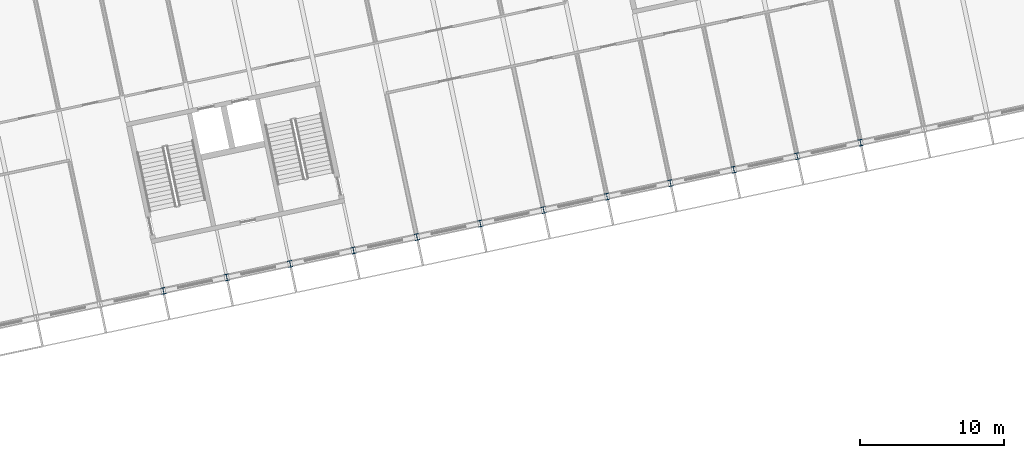
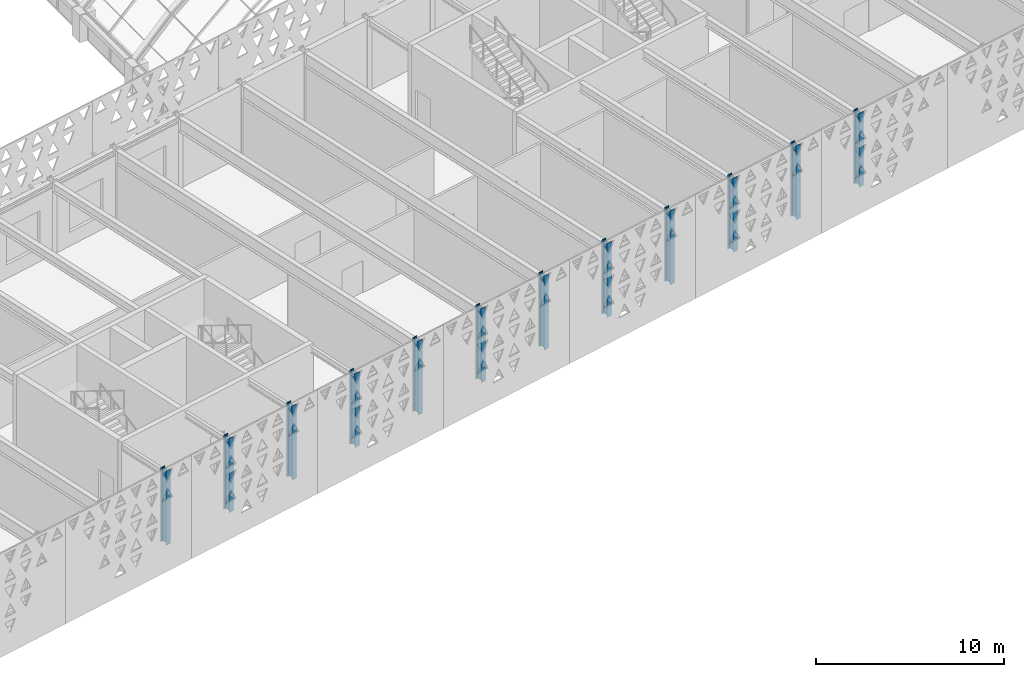
# One storey, part 12 of 182: 12 columns.
"""IFC4 building model written with IfcOpenShell, lengths in metres."""

from ifc_helpers import new_model, si_unit, direction, frame, origin, origin_2d, place, context, subcontext, project, spatial, i_section, extrude, material, material_profile, profile_set, type_object, element, save


model = new_model("IFC4")

# Units and contexts
model_context = context("Model", 3, precision=1e-05, world=origin(), true_north=direction((0.0, 1.0)))
body_context = subcontext(model_context, "Body", "Model", "MODEL_VIEW")
ifc_project = project(units=[si_unit("LENGTHUNIT", "METRE"), si_unit("AREAUNIT", "SQUARE_METRE"), si_unit("VOLUMEUNIT", "CUBIC_METRE"), si_unit("PLANEANGLEUNIT", "RADIAN"), si_unit("MASSUNIT", "GRAM", prefix="KILO")], contexts=[model_context])

# Site, building, storey
site_placement = place(None, origin())
site = spatial("IfcSite", under=ifc_project, at=site_placement, CompositionType="ELEMENT")
building_placement = place(site_placement, origin())
building = spatial("IfcBuilding", under=site, at=building_placement, Name="Okhra Congress Centre", CompositionType="ELEMENT")
storey_placement = place(building_placement, frame((0.0, 0.0, 7.199951171875)))
storey = spatial("IfcBuildingStorey", under=building, at=storey_placement, Name="L01", CompositionType="ELEMENT", Elevation=7.199951171875)

# Columns
ifc_material = material(Name="Steel S355J2", Category="steel")
ifc_material_profile = material_profile(ifc_material, i_section(OverallWidth=0.300048828125, OverallDepth=0.449951171875, WebThickness=0.013916015625, FlangeThickness=0.02587890625, FilletRadius=0.027099609375, at=origin_2d()), Name="HE 450 B")
ifc_profile_set = profile_set([ifc_material_profile], Name="Steel S355J2")
column_type = type_object("IfcColumnType", Name="Steel post HE 450 B", PredefinedType="COLUMN", material=ifc_profile_set)
for number, where, z_axis, x_axis, name in (
    (1, (135.83935546875, 42.714599609375, 0.0), (0.0, 0.0, 1.0), (0.978147600734, 0.207911690818, 0.0), "Post S18"),
    (2, (140.240966796875, 43.650146484375, 0.0), (0.0, 0.0, 1.0), (0.978147600734, 0.207911690818, 0.0), "Post S19"),
    (3, (144.642578125, 44.585693359375, 0.0), (0.0, 0.0, 1.0), (0.978147600734, 0.207911690818, 0.0), "Post S20"),
    (4, (149.044189453125, 45.521240234375, 0.0), (0.0, 0.0, 1.0), (0.978147600734, 0.207911690818, 0.0), "Post S21"),
    (5, (153.446044921875, 46.456787109375, 0.0), (0.0, 0.0, 1.0), (0.978147600734, 0.207911690818, 0.0), "Post S22"),
    (6, (157.84765625, 47.392578125, 0.0), (0.0, 0.0, 1.0), (0.978147600734, 0.207911690818, 0.0), "Post S23"),
    (7, (162.249267578125, 48.328125, 0.0), (0.0, 0.0, 1.0), (0.978147600734, 0.207911690818, 0.0), "Post S24"),
    (8, (166.65087890625, 49.263671875, 0.0), (0.0, 0.0, 1.0), (0.978147600734, 0.207911690818, 0.0), "Post S25"),
    (9, (171.052490234375, 50.19921875, 0.0), (0.0, 0.0, 1.0), (0.978147600734, 0.207911690818, 0.0), "Post S26"),
    (10, (175.454345703125, 51.135009765625, 0.0), (0.0, 0.0, 1.0), (0.978147600734, 0.207911690818, 0.0), "Post S27"),
    (11, (179.85595703125, 52.070556640625, 0.0), (0.0, 0.0, 1.0), (0.978147600734, 0.207911690818, 0.0), "Post S28"),
    (12, (184.257568359375, 53.006103515625, 0.0), (0.0, 0.0, 1.0), (0.978147600734, 0.207911690818, 0.0), "Post S29"),
):
    element("IfcColumn", number, at=place(storey_placement, frame(where, z_axis=z_axis, x_axis=x_axis)), inside=storey, type_object=column_type, Name=name, PredefinedType="COLUMN", context=body_context, shape_type="SweptSolid", body=[
        extrude(i_section(OverallWidth=0.300048828125, OverallDepth=0.449951171875, WebThickness=0.013916015625, FlangeThickness=0.02587890625, FilletRadius=0.027099609375, at=origin_2d()), origin(), (0.0, 0.0, 1.0), 4.800048828125),
    ])

save(model, "model.ifc")
